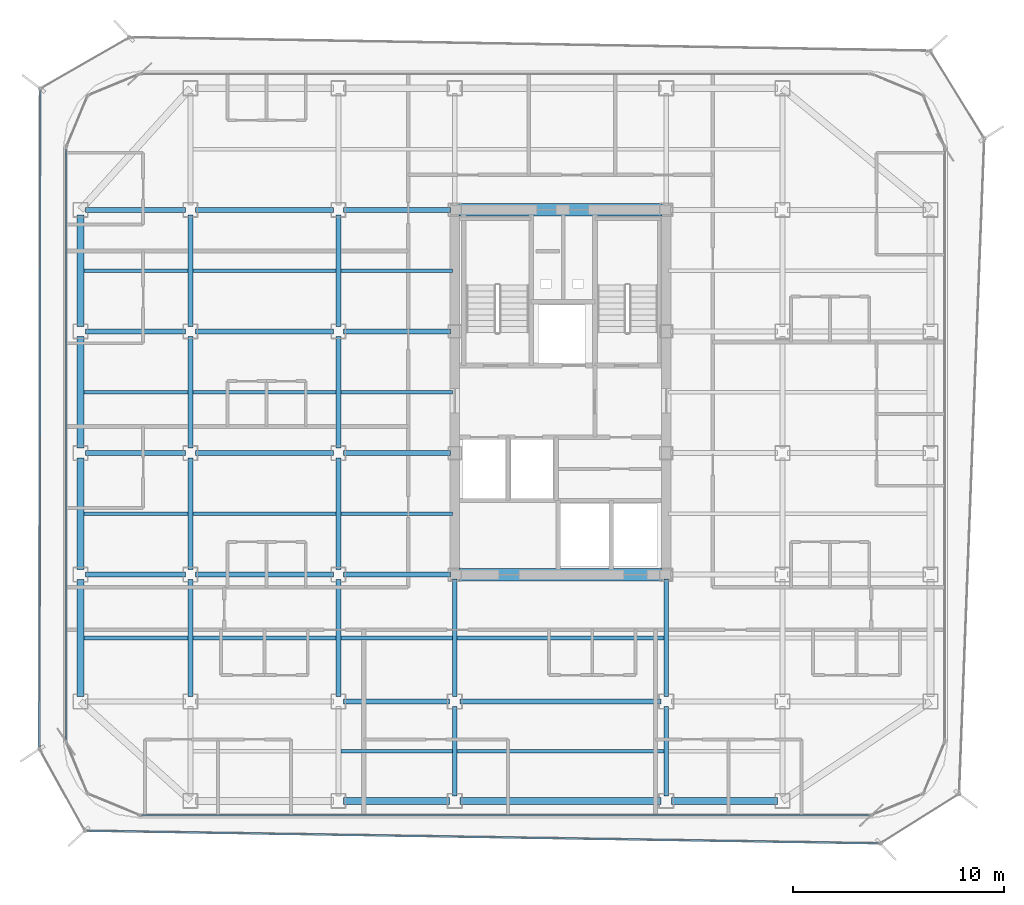
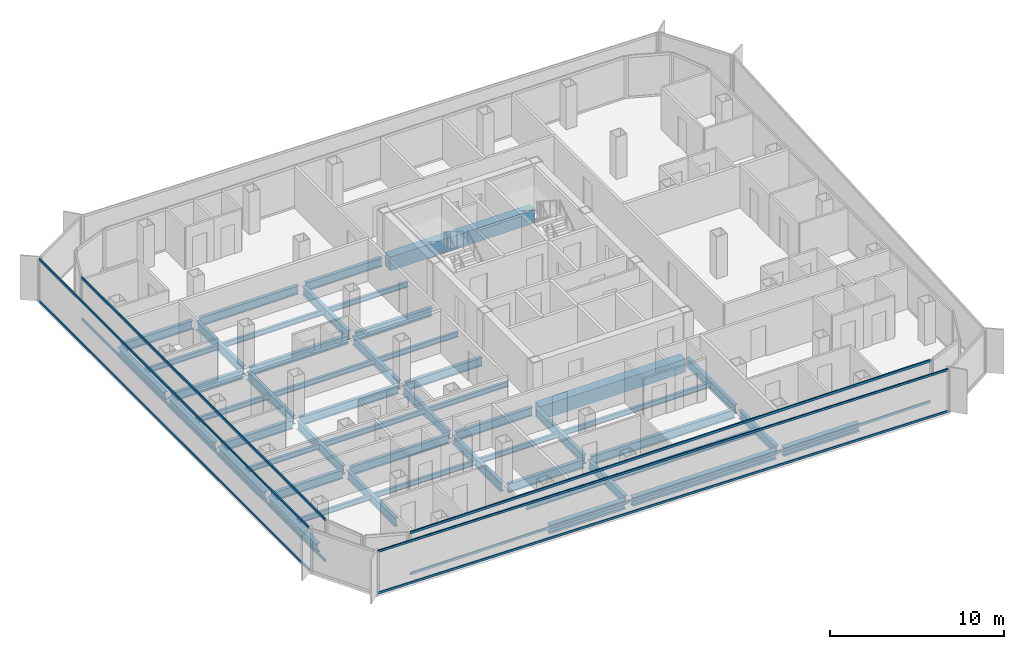
# One storey, part 3 of 16: 50 beams, 8 members, 4 elements without a shape of their own.
"""IFC4 building model written with IfcOpenShell, lengths in metres."""

import ifcopenshell
import ifcopenshell.guid

model = None  # the IFC model being written
_history = None  # IfcOwnerHistory: only IFC2X3 demands one
_inside = {}  # id of a spatial element -> (the spatial element, [elements in it])
_under = {}  # id of a project, library or spatial element -> (it, [spatial elements below it])
_declared = {}  # id of a project -> (the project, [libraries it declares])
_typed = {}  # id of a type object -> (the type object, [elements of that type])
_made_of = {}  # id of a material, layer set ... -> (it, [elements and type objects made of it])


def new_model(schema):
    """Start an empty IFC model of exactly this schema.

    Asked for "IFC4X3", IfcOpenShell would pick the latest addendum, in which some entities
    have other attributes; the version numbers below select the first issue.
    IFC2X3 requires an IfcOwnerHistory on every rooted entity: one is made here for all.
    """
    global model, _history
    if schema == "IFC4X3":
        model = ifcopenshell.file(schema_version=(4, 3, 0, 0))
    else:
        model = ifcopenshell.file(schema=schema)
    _inside.clear()
    _under.clear()
    _declared.clear()
    _typed.clear()
    _made_of.clear()
    _history = None
    if model.schema == "IFC2X3":
        org = make("IfcOrganization", Name="unknown")
        user = make(
            "IfcPersonAndOrganization",
            ThePerson=make("IfcPerson", FamilyName="unknown"),
            TheOrganization=org,
        )
        app = make(
            "IfcApplication",
            ApplicationDeveloper=org,
            Version="unknown",
            ApplicationFullName="unknown",
            ApplicationIdentifier="unknown",
        )
        _history = make(
            "IfcOwnerHistory",
            OwningUser=user,
            OwningApplication=app,
            ChangeAction="ADDED",
            CreationDate=0,
        )
    return model


def make(cls, **values):
    """One entity of the class cls with the attributes given. An attribute that is None is left unset."""
    return model.create_entity(
        cls, **{name: value for name, value in values.items() if value is not None}
    )


def rooted(cls, **values):
    """An entity with a GlobalId (a new one), such as an element, a storey or a relation."""
    return make(cls, GlobalId=ifcopenshell.guid.new(), OwnerHistory=_history, **values)


def si_unit(unit_type, name, prefix=None):
    """IfcSIUnit, for example si_unit("LENGTHUNIT", "METRE", prefix="MILLI")."""
    return make("IfcSIUnit", UnitType=unit_type, Prefix=prefix, Name=name)


def assignment(units):
    """IfcUnitAssignment: the units of a project."""
    return None if units is None else make("IfcUnitAssignment", Units=units)


def point(xyz):
    """IfcCartesianPoint."""
    return None if xyz is None else make("IfcCartesianPoint", Coordinates=xyz)


def direction(xyz):
    """IfcDirection."""
    return None if xyz is None else make("IfcDirection", DirectionRatios=xyz)


def frame(location, z_axis=None, x_axis=None):
    """IfcAxis2Placement3D, a coordinate frame: its origin and axes. An axis left out is left unset."""
    return make(
        "IfcAxis2Placement3D",
        Location=point(location),
        Axis=direction(z_axis),
        RefDirection=direction(x_axis),
    )


def frame_2d(location, x_axis=None):
    """IfcAxis2Placement2D, a coordinate frame in the plane: its origin and x axis."""
    return make(
        "IfcAxis2Placement2D", Location=point(location), RefDirection=direction(x_axis)
    )


def origin():
    """The frame at (0, 0, 0) with its axes left unset."""
    return frame((0.0, 0.0, 0.0))


def origin_2d():
    """The frame at (0, 0) in the plane with its x axis left unset."""
    return frame_2d((0.0, 0.0))


def place(relative_to, where):
    """IfcLocalPlacement: puts the frame where relative to a parent placement (None: the world)."""
    return make(
        "IfcLocalPlacement", PlacementRelTo=relative_to, RelativePlacement=where
    )


def context(
    kind, dimensions, precision=None, world=None, true_north=None, identifier=None
):
    """IfcGeometricRepresentationContext, for example the 3D "Model" context."""
    return make(
        "IfcGeometricRepresentationContext",
        ContextIdentifier=identifier,
        ContextType=kind,
        CoordinateSpaceDimension=dimensions,
        Precision=precision,
        WorldCoordinateSystem=world,
        TrueNorth=true_north,
    )


def subcontext(parent, identifier, kind, view, scale=None):
    """IfcGeometricRepresentationSubContext, for example "Body" below "Model"."""
    return make(
        "IfcGeometricRepresentationSubContext",
        ContextIdentifier=identifier,
        ContextType=kind,
        ParentContext=parent,
        TargetScale=scale,
        TargetView=view,
    )


def project(units=None, contexts=None):
    """IfcProject with its units and contexts."""
    return rooted(
        "IfcProject",
        Name="project",
        RepresentationContexts=contexts,
        UnitsInContext=assignment(units),
    )


def spatial(cls, under=None, at=None, **own):
    """A site, building, storey or space (cls), placed at a placement, below another one or the project."""
    s = rooted(cls, ObjectPlacement=at, **own)
    if under is not None:
        _under.setdefault(under.id(), (under, []))[1].append(s)
    return s


def profile(cls, at=None, kind="AREA", **sizes):
    """A parametric profile (cls). Its sizes go by their IFC names, for example OverallWidth=200.0."""
    return make(cls, ProfileType=kind, Position=at, **sizes)


def rectangle(**sizes):
    """IfcRectangleProfileDef."""
    return profile("IfcRectangleProfileDef", **sizes)


def hollow_rectangle(**sizes):
    """IfcRectangleHollowProfileDef."""
    return profile("IfcRectangleHollowProfileDef", **sizes)


def i_section(**sizes):
    """IfcIShapeProfileDef."""
    return profile("IfcIShapeProfileDef", **sizes)


def extrude(swept, where, along, depth):
    """IfcExtrudedAreaSolid: the profile swept, set in the frame where, extruded along a direction by depth."""
    return make(
        "IfcExtrudedAreaSolid",
        SweptArea=swept,
        Position=where,
        ExtrudedDirection=direction(along),
        Depth=depth,
    )


def shape(context_of_items, identifier, shape_type, items):
    """IfcShapeRepresentation: the items that make up one representation, for example the "Body"."""
    return make(
        "IfcShapeRepresentation",
        ContextOfItems=context_of_items,
        RepresentationIdentifier=identifier,
        RepresentationType=shape_type,
        Items=items,
    )


def source(mapping_origin, context_of_items, identifier, shape_type, items):
    """IfcRepresentationMap: a shape defined once, which mapped items show again and again."""
    return make(
        "IfcRepresentationMap",
        MappingOrigin=mapping_origin,
        MappedRepresentation=shape(context_of_items, identifier, shape_type, items),
    )


def transform(
    local_origin,
    x_axis=None,
    y_axis=None,
    z_axis=None,
    scale=None,
    scale2=None,
    scale3=None,
    uniform=True,
):
    """IfcCartesianTransformationOperator3D, or its non-uniform kind. x_axis, y_axis, z_axis: its Axis1, 2, 3."""
    if uniform:
        return make(
            "IfcCartesianTransformationOperator3D",
            Axis1=direction(x_axis),
            Axis2=direction(y_axis),
            LocalOrigin=point(local_origin),
            Scale=scale,
            Axis3=direction(z_axis),
        )
    return make(
        "IfcCartesianTransformationOperator3DnonUniform",
        Axis1=direction(x_axis),
        Axis2=direction(y_axis),
        LocalOrigin=point(local_origin),
        Scale=scale,
        Axis3=direction(z_axis),
        Scale2=scale2,
        Scale3=scale3,
    )


def mapped(mapping_source, mapping_target):
    """IfcMappedItem: shows the shape of a source again, moved by a transform."""
    return make(
        "IfcMappedItem", MappingSource=mapping_source, MappingTarget=mapping_target
    )


def material(Name=None, Category=None):
    """IfcMaterial."""
    return make("IfcMaterial", Name=Name, Category=Category)


def layer(
    of_material, thickness, ventilated=None, Name=None, Category=None, Priority=None
):
    """IfcMaterialLayer: one layer of a wall or slab, of a material (None: an air gap)."""
    return make(
        "IfcMaterialLayer",
        Material=of_material,
        LayerThickness=thickness,
        IsVentilated=ventilated,
        Name=Name,
        Category=Category,
        Priority=Priority,
    )


def layer_set(layers, Name=None):
    """IfcMaterialLayerSet."""
    return make("IfcMaterialLayerSet", MaterialLayers=layers, LayerSetName=Name)


def material_profile(
    of_material, cross_section, Name=None, Category=None, Priority=None
):
    """IfcMaterialProfile: a cross section and its material."""
    return make(
        "IfcMaterialProfile",
        Name=Name,
        Material=of_material,
        Profile=cross_section,
        Priority=Priority,
        Category=Category,
    )


def profile_set(profiles, Name=None, composite=None):
    """IfcMaterialProfileSet."""
    return make(
        "IfcMaterialProfileSet",
        Name=Name,
        MaterialProfiles=profiles,
        CompositeProfile=composite,
    )


def made_of(thing, what):
    """Note that an element or type object is made of a material, layer set ...; save() writes the relation."""
    if what is not None:
        _made_of.setdefault(what.id(), (what, []))[1].append(thing)
    return thing


def type_object(cls, material=None, **own):
    """A type object (cls), such as IfcWallType, which elements share."""
    return made_of(rooted(cls, **own), material)


def element(
    cls,
    number,
    at=None,
    inside=None,
    cuts=None,
    type_object=None,
    material=None,
    context=None,
    identifier="Body",
    shape_type=None,
    held_by="IfcProductDefinitionShape",
    body=None,
    shapes=None,
    **own,
):
    """One element of the class cls, such as IfcWall. Its Tag is "e" and its number.

    at: its placement. inside: the storey or other place that contains it. cuts: it is an
    opening in that element (IfcRelVoidsElement). A single representation is given by context,
    identifier, shape_type and body (its items); several are given by shapes. held_by: the class
    of the entity that holds the representations. save() writes the other relations.
    """
    e = rooted(cls, Tag="e%d" % number, ObjectPlacement=at, **own)
    if body is not None:
        shapes = [shape(context, identifier, shape_type, body)]
    if shapes is not None:
        e.Representation = make(held_by, Representations=shapes)
    if inside is not None:
        _inside.setdefault(inside.id(), (inside, []))[1].append(e)
    if cuts is not None:
        rooted(
            "IfcRelVoidsElement", RelatingBuildingElement=cuts, RelatedOpeningElement=e
        )
    if type_object is not None:
        _typed.setdefault(type_object.id(), (type_object, []))[1].append(e)
    return made_of(e, material)


def aggregate(whole, parts):
    """IfcRelAggregates: a whole, such as a stair, and the parts it consists of."""
    return rooted("IfcRelAggregates", RelatingObject=whole, RelatedObjects=parts)


def save(model, path):
    """Write the relations noted so far, then the file.

    IfcRelAggregates (storeys below a building ...), IfcRelContainedInSpatialStructure (elements
    in a storey), IfcRelDefinesByType, IfcRelAssociatesMaterial and IfcRelDeclares: one each for
    every whole, place, type object, material and project.
    """
    for whole, parts in _under.values():
        aggregate(whole, parts)
    for where, things in _inside.values():
        rooted(
            "IfcRelContainedInSpatialStructure",
            RelatedElements=things,
            RelatingStructure=where,
        )
    for kind, things in _typed.values():
        rooted("IfcRelDefinesByType", RelatedObjects=things, RelatingType=kind)
    for what, things in _made_of.values():
        rooted("IfcRelAssociatesMaterial", RelatedObjects=things, RelatingMaterial=what)
    for by, libraries in _declared.values():
        rooted("IfcRelDeclares", RelatingContext=by, RelatedDefinitions=libraries)
    model.write(path)


model = new_model("IFC4")

# Units and contexts
model_context = context("Model", 3, precision=1e-05, world=origin(), true_north=direction((0.0, 1.0)))
body_context = subcontext(model_context, "Body", "Model", "MODEL_VIEW")
ifc_project = project(units=[si_unit("LENGTHUNIT", "METRE"), si_unit("AREAUNIT", "SQUARE_METRE"), si_unit("VOLUMEUNIT", "CUBIC_METRE"), si_unit("PLANEANGLEUNIT", "RADIAN"), si_unit("MASSUNIT", "GRAM", prefix="KILO")], contexts=[model_context])

# Site, building, storey
site_placement = place(None, origin())
site = spatial("IfcSite", under=ifc_project, at=site_placement, CompositionType="ELEMENT")
building_placement = place(site_placement, origin())
building = spatial("IfcBuilding", under=site, at=building_placement, Name="Kolveth Station Tower", CompositionType="ELEMENT")
storey_placement = place(building_placement, frame((0.0, 0.0, 156.10009765625)))
storey = spatial("IfcBuildingStorey", under=building, at=storey_placement, Name="L43", CompositionType="ELEMENT", Elevation=156.10009765625)

# Beams
ifc_material_1 = material(Name="Steel S355", Category="steel")
ifc_material_profile_1 = material_profile(ifc_material_1, i_section(OverallWidth=0.323974609375, OverallDepth=0.611083984375, WebThickness=0.0126953125, FlangeThickness=0.01904296875, at=origin_2d()), Name="W610x155")
ifc_profile_set_1 = profile_set([ifc_material_profile_1], Name="Steel S355")
beam_type_1 = type_object("IfcBeamType", Name="Beam_SP2", PredefinedType="SPANDREL", material=ifc_profile_set_1)
shared_shape_1 = source(origin(), body_context, "Body", "SweptSolid", [
    extrude(i_section(OverallWidth=0.323974609375, OverallDepth=0.611083984375, WebThickness=0.0126953125, FlangeThickness=0.01904296875, at=origin_2d()), origin(), (0.0, 0.0, 1.0), 5.02001953125),
])
for number, where, z_axis, x_axis, name in (
    (1, (13.239990234375, 0.800048828125, -0.5556640625), (1.0, 0.0, 0.0), (0.0, 1.0, 0.0), "L43 Perimeter Spandrel BM-L43-PS-2"),
    (2, (28.739990234375, 0.800048828125, -0.5556640625), (1.0, 0.0, 0.0), (0.0, 1.0, 0.0), "L43 Perimeter Spandrel BM-L43-PS-4"),
):
    element("IfcBeam", number, at=place(storey_placement, frame(where, z_axis=z_axis, x_axis=x_axis)), inside=storey, type_object=beam_type_1, Name=name, PredefinedType="SPANDREL", context=body_context, shape_type="MappedRepresentation", body=[
        mapped(shared_shape_1, transform((0.0, 0.0, 0.0), x_axis=(1.0, 0.0, 0.0), y_axis=(0.0, 1.0, 0.0), z_axis=(0.0, 0.0, 1.0), scale=1.0)),
    ])
shared_shape_2 = source(origin(), body_context, "Body", "SweptSolid", [
    extrude(i_section(OverallWidth=0.323974609375, OverallDepth=0.611083984375, WebThickness=0.0126953125, FlangeThickness=0.01904296875, at=origin_2d()), origin(), (0.0, 0.0, 1.0), 9.52001953125),
])
beam_1_placement = place(storey_placement, frame((18.739990234375, 0.800048828125, -0.5556640625), z_axis=(1.0, 0.0, 0.0), x_axis=(0.0, 1.0, 0.0)))
element("IfcBeam", 3, at=beam_1_placement, inside=storey, type_object=beam_type_1, Name="L43 Perimeter Spandrel BM-L43-PS-3", PredefinedType="SPANDREL", context=body_context, shape_type="MappedRepresentation", body=[
    mapped(shared_shape_2, transform((0.0, 0.0, 0.0), x_axis=(1.0, 0.0, 0.0), y_axis=(0.0, 1.0, 0.0), z_axis=(0.0, 0.0, 1.0), scale=1.0)),
])
shared_shape_3 = source(origin(), body_context, "Body", "SweptSolid", [
    extrude(i_section(OverallWidth=0.323974609375, OverallDepth=0.611083984375, WebThickness=0.0126953125, FlangeThickness=0.01904296875, at=origin_2d()), origin(), (0.0, 0.0, 1.0), 5.52001953125),
])
beam_2_placement = place(storey_placement, frame((0.800048828125, 5.739990234375, -0.5556640625), z_axis=(0.0, 1.0, 0.0), x_axis=(-1.0, 0.0, 0.0)))
element("IfcBeam", 4, at=beam_2_placement, inside=storey, type_object=beam_type_1, Name="L43 Perimeter Spandrel BM-L43-PW-1", PredefinedType="SPANDREL", context=body_context, shape_type="MappedRepresentation", body=[
    mapped(shared_shape_3, transform((0.0, 0.0, 0.0), x_axis=(1.0, 0.0, 0.0), y_axis=(0.0, 1.0, 0.0), z_axis=(0.0, 0.0, 1.0), scale=1.0)),
])
shared_shape_4 = source(origin(), body_context, "Body", "SweptSolid", [
    extrude(i_section(OverallWidth=0.323974609375, OverallDepth=0.611083984375, WebThickness=0.0126953125, FlangeThickness=0.01904296875, at=origin_2d()), origin(), (0.0, 0.0, 1.0), 5.27001953125),
])
for number, where, z_axis, x_axis, name in (
    (5, (0.800048828125, 11.739990234375, -0.5556640625), (0.0, 1.0, 0.0), (-1.0, 0.0, 0.0), "L43 Perimeter Spandrel BM-L43-PW-2"),
    (6, (0.800048828125, 17.489990234375, -0.5556640625), (0.0, 1.0, 0.0), (-1.0, 0.0, 0.0), "L43 Perimeter Spandrel BM-L43-PW-3"),
    (7, (0.800048828125, 23.239990234375, -0.5556640625), (0.0, 1.0, 0.0), (-1.0, 0.0, 0.0), "L43 Perimeter Spandrel BM-L43-PW-4"),
):
    element("IfcBeam", number, at=place(storey_placement, frame(where, z_axis=z_axis, x_axis=x_axis)), inside=storey, type_object=beam_type_1, Name=name, PredefinedType="SPANDREL", context=body_context, shape_type="MappedRepresentation", body=[
        mapped(shared_shape_4, transform((0.0, 0.0, 0.0), x_axis=(1.0, 0.0, 0.0), y_axis=(0.0, 1.0, 0.0), z_axis=(0.0, 0.0, 1.0), scale=1.0)),
    ])
ifc_material_profile_2 = material_profile(ifc_material_1, i_section(OverallWidth=0.22900390625, OverallDepth=0.612060546875, WebThickness=0.011962890625, FlangeThickness=0.01953125, at=origin_2d()), Name="W610x125")
ifc_profile_set_2 = profile_set([ifc_material_profile_2], Name="Steel S355")
beam_type_2 = type_object("IfcBeamType", Name="Beam_B5", PredefinedType="BEAM", material=ifc_profile_set_2)
shared_shape_5 = source(origin(), body_context, "Body", "SweptSolid", [
    extrude(i_section(OverallWidth=0.22900390625, OverallDepth=0.612060546875, WebThickness=0.011962890625, FlangeThickness=0.01953125, at=origin_2d()), origin(), (0.0, 0.0, 1.0), 4.719970703125),
])
for number, where, z_axis, x_axis, name in (
    (8, (1.0400390625, 11.5, -0.55615234375), (1.0, 0.0, 0.0), (0.0, 1.0, 0.0), "L43 Primary Girder BM-L43-GY115-1"),
    (9, (1.0400390625, 17.25, -0.55615234375), (1.0, 0.0, 0.0), (0.0, 1.0, 0.0), "L43 Primary Girder BM-L43-GY172-1"),
    (10, (1.0400390625, 23.0, -0.55615234375), (1.0, 0.0, 0.0), (0.0, 1.0, 0.0), "L43 Primary Girder BM-L43-GY230-1"),
    (11, (1.0400390625, 28.75, -0.55615234375), (1.0, 0.0, 0.0), (0.0, 1.0, 0.0), "L43 Primary Girder BM-L43-GY287-1"),
):
    element("IfcBeam", number, at=place(storey_placement, frame(where, z_axis=z_axis, x_axis=x_axis)), inside=storey, type_object=beam_type_2, Name=name, PredefinedType="BEAM", context=body_context, shape_type="MappedRepresentation", body=[
        mapped(shared_shape_5, transform((0.0, 0.0, 0.0), x_axis=(1.0, 0.0, 0.0), y_axis=(0.0, 1.0, 0.0), z_axis=(0.0, 0.0, 1.0), scale=1.0)),
    ])
shared_shape_6 = source(origin(), body_context, "Body", "SweptSolid", [
    extrude(i_section(OverallWidth=0.22900390625, OverallDepth=0.612060546875, WebThickness=0.011962890625, FlangeThickness=0.01953125, at=origin_2d()), origin(), (0.0, 0.0, 1.0), 6.52001953125),
])
for number, where, z_axis, x_axis, name in (
    (12, (6.239990234375, 11.5, -0.55615234375), (1.0, 0.0, 0.0), (0.0, 1.0, 0.0), "L43 Primary Girder BM-L43-GY115-2"),
    (13, (6.239990234375, 17.25, -0.55615234375), (1.0, 0.0, 0.0), (0.0, 1.0, 0.0), "L43 Primary Girder BM-L43-GY172-2"),
    (14, (6.239990234375, 23.0, -0.55615234375), (1.0, 0.0, 0.0), (0.0, 1.0, 0.0), "L43 Primary Girder BM-L43-GY230-2"),
    (15, (6.239990234375, 28.75, -0.55615234375), (1.0, 0.0, 0.0), (0.0, 1.0, 0.0), "L43 Primary Girder BM-L43-GY287-2"),
):
    element("IfcBeam", number, at=place(storey_placement, frame(where, z_axis=z_axis, x_axis=x_axis)), inside=storey, type_object=beam_type_2, Name=name, PredefinedType="BEAM", context=body_context, shape_type="MappedRepresentation", body=[
        mapped(shared_shape_6, transform((0.0, 0.0, 0.0), x_axis=(1.0, 0.0, 0.0), y_axis=(0.0, 1.0, 0.0), z_axis=(0.0, 0.0, 1.0), scale=1.0)),
    ])
shared_shape_7 = source(origin(), body_context, "Body", "SweptSolid", [
    extrude(i_section(OverallWidth=0.22900390625, OverallDepth=0.612060546875, WebThickness=0.011962890625, FlangeThickness=0.01953125, at=origin_2d()), origin(), (0.0, 0.0, 1.0), 5.02001953125),
])
beam_3_placement = place(storey_placement, frame((13.239990234375, 5.5, -0.55615234375), z_axis=(1.0, 0.0, 0.0), x_axis=(0.0, 1.0, 0.0)))
element("IfcBeam", 16, at=beam_3_placement, inside=storey, type_object=beam_type_2, Name="L43 Primary Girder BM-L43-GY55-3", PredefinedType="BEAM", context=body_context, shape_type="MappedRepresentation", body=[
    mapped(shared_shape_7, transform((0.0, 0.0, 0.0), x_axis=(1.0, 0.0, 0.0), y_axis=(0.0, 1.0, 0.0), z_axis=(0.0, 0.0, 1.0), scale=1.0)),
])
shared_shape_8 = source(origin(), body_context, "Body", "SweptSolid", [
    extrude(i_section(OverallWidth=0.22900390625, OverallDepth=0.612060546875, WebThickness=0.011962890625, FlangeThickness=0.01953125, at=origin_2d()), origin(), (0.0, 0.0, 1.0), 9.52001953125),
])
beam_4_placement = place(storey_placement, frame((18.739990234375, 5.5, -0.55615234375), z_axis=(1.0, 0.0, 0.0), x_axis=(0.0, 1.0, 0.0)))
element("IfcBeam", 17, at=beam_4_placement, inside=storey, type_object=beam_type_2, Name="L43 Primary Girder BM-L43-GY55-4", PredefinedType="BEAM", context=body_context, shape_type="MappedRepresentation", body=[
    mapped(shared_shape_8, transform((0.0, 0.0, 0.0), x_axis=(1.0, 0.0, 0.0), y_axis=(0.0, 1.0, 0.0), z_axis=(0.0, 0.0, 1.0), scale=1.0)),
])
shared_shape_9 = source(origin(), body_context, "Body", "SweptSolid", [
    extrude(i_section(OverallWidth=0.22900390625, OverallDepth=0.612060546875, WebThickness=0.011962890625, FlangeThickness=0.01953125, at=origin_2d()), origin(), (0.0, 0.0, 1.0), 5.06005859375),
])
for number, where, z_axis, x_axis, name in (
    (18, (13.239990234375, 11.5, -0.55615234375), (1.0, 0.0, 0.0), (0.0, 1.0, 0.0), "L43 Primary Girder BM-L43-GY115-3"),
    (19, (13.239990234375, 17.25, -0.55615234375), (1.0, 0.0, 0.0), (0.0, 1.0, 0.0), "L43 Primary Girder BM-L43-GY172-3"),
    (20, (13.239990234375, 23.0, -0.55615234375), (1.0, 0.0, 0.0), (0.0, 1.0, 0.0), "L43 Primary Girder BM-L43-GY230-3"),
    (21, (13.239990234375, 28.75, -0.55615234375), (1.0, 0.0, 0.0), (0.0, 1.0, 0.0), "L43 Primary Girder BM-L43-GY287-3"),
):
    element("IfcBeam", number, at=place(storey_placement, frame(where, z_axis=z_axis, x_axis=x_axis)), inside=storey, type_object=beam_type_2, Name=name, PredefinedType="BEAM", context=body_context, shape_type="MappedRepresentation", body=[
        mapped(shared_shape_9, transform((0.0, 0.0, 0.0), x_axis=(1.0, 0.0, 0.0), y_axis=(0.0, 1.0, 0.0), z_axis=(0.0, 0.0, 1.0), scale=1.0)),
    ])
ifc_material_2 = material(Name="Concrete C60/75", Category="concrete")
ifc_material_profile_3 = material_profile(ifc_material_2, rectangle(XDim=0.60009765625, YDim=0.949951171875, at=origin_2d()), Name="RC-600x950")
ifc_profile_set_3 = profile_set([ifc_material_profile_3], Name="Concrete C60/75")
beam_type_3 = type_object("IfcBeamType", Name="Beam_CB1", PredefinedType="BEAM", material=ifc_profile_set_3)
shared_shape_10 = source(origin(), body_context, "Body", "SweptSolid", [
    extrude(rectangle(XDim=0.60009765625, YDim=0.949951171875, at=origin_2d()), origin(), (0.0, 0.0, 1.0), 9.60009765625),
])
for number, where, z_axis, x_axis, name in (
    (22, (18.699951171875, 11.5, -0.72509765625), (1.0, 0.0, 0.0), (0.0, 1.0, 0.0), "L43 Core Coupling Beam BM-L43-CB-Y115"),
    (23, (18.699951171875, 28.75, -0.72509765625), (1.0, 0.0, 0.0), (0.0, 1.0, 0.0), "L43 Core Coupling Beam BM-L43-CB-Y287"),
):
    element("IfcBeam", number, at=place(storey_placement, frame(where, z_axis=z_axis, x_axis=x_axis)), inside=storey, type_object=beam_type_3, Name=name, PredefinedType="BEAM", context=body_context, shape_type="MappedRepresentation", body=[
        mapped(shared_shape_10, transform((0.0, 0.0, 0.0), x_axis=(1.0, 0.0, 0.0), y_axis=(0.0, 1.0, 0.0), z_axis=(0.0, 0.0, 1.0), scale=1.0)),
    ])
shared_shape_11 = source(origin(), body_context, "Body", "SweptSolid", [
    extrude(i_section(OverallWidth=0.22900390625, OverallDepth=0.612060546875, WebThickness=0.011962890625, FlangeThickness=0.01953125, at=origin_2d()), origin(), (0.0, 0.0, 1.0), 4.219970703125),
])
for number, where, z_axis, x_axis, name in (
    (24, (18.5, 1.0400390625, -0.55615234375), (0.0, 1.0, 0.0), (-1.0, 0.0, 0.0), "L43 Primary Girder BM-L43-GX185-1"),
    (25, (28.5, 1.0400390625, -0.55615234375), (0.0, 1.0, 0.0), (-1.0, 0.0, 0.0), "L43 Primary Girder BM-L43-GX285-1"),
):
    element("IfcBeam", number, at=place(storey_placement, frame(where, z_axis=z_axis, x_axis=x_axis)), inside=storey, type_object=beam_type_2, Name=name, PredefinedType="BEAM", context=body_context, shape_type="MappedRepresentation", body=[
        mapped(shared_shape_11, transform((0.0, 0.0, 0.0), x_axis=(1.0, 0.0, 0.0), y_axis=(0.0, 1.0, 0.0), z_axis=(0.0, 0.0, 1.0), scale=1.0)),
    ])
shared_shape_12 = source(origin(), body_context, "Body", "SweptSolid", [
    extrude(i_section(OverallWidth=0.22900390625, OverallDepth=0.612060546875, WebThickness=0.011962890625, FlangeThickness=0.01953125, at=origin_2d()), origin(), (0.0, 0.0, 1.0), 5.52001953125),
])
for number, where, z_axis, x_axis, name in (
    (26, (6.0, 5.739990234375, -0.55615234375), (0.0, 1.0, 0.0), (-1.0, 0.0, 0.0), "L43 Primary Girder BM-L43-GX60-2"),
    (27, (13.0, 5.739990234375, -0.55615234375), (0.0, 1.0, 0.0), (-1.0, 0.0, 0.0), "L43 Primary Girder BM-L43-GX130-2"),
):
    element("IfcBeam", number, at=place(storey_placement, frame(where, z_axis=z_axis, x_axis=x_axis)), inside=storey, type_object=beam_type_2, Name=name, PredefinedType="BEAM", context=body_context, shape_type="MappedRepresentation", body=[
        mapped(shared_shape_12, transform((0.0, 0.0, 0.0), x_axis=(1.0, 0.0, 0.0), y_axis=(0.0, 1.0, 0.0), z_axis=(0.0, 0.0, 1.0), scale=1.0)),
    ])
shared_shape_13 = source(origin(), body_context, "Body", "SweptSolid", [
    extrude(i_section(OverallWidth=0.22900390625, OverallDepth=0.612060546875, WebThickness=0.011962890625, FlangeThickness=0.01953125, at=origin_2d()), origin(), (0.0, 0.0, 1.0), 5.27001953125),
])
for number, where, z_axis, x_axis, name in (
    (28, (6.0, 11.739990234375, -0.55615234375), (0.0, 1.0, 0.0), (-1.0, 0.0, 0.0), "L43 Primary Girder BM-L43-GX60-3"),
    (29, (6.0, 17.489990234375, -0.55615234375), (0.0, 1.0, 0.0), (-1.0, 0.0, 0.0), "L43 Primary Girder BM-L43-GX60-4"),
    (30, (6.0, 23.239990234375, -0.55615234375), (0.0, 1.0, 0.0), (-1.0, 0.0, 0.0), "L43 Primary Girder BM-L43-GX60-5"),
    (31, (13.0, 11.739990234375, -0.55615234375), (0.0, 1.0, 0.0), (-1.0, 0.0, 0.0), "L43 Primary Girder BM-L43-GX130-3"),
    (32, (13.0, 17.489990234375, -0.55615234375), (0.0, 1.0, 0.0), (-1.0, 0.0, 0.0), "L43 Primary Girder BM-L43-GX130-4"),
    (33, (13.0, 23.239990234375, -0.55615234375), (0.0, 1.0, 0.0), (-1.0, 0.0, 0.0), "L43 Primary Girder BM-L43-GX130-5"),
):
    element("IfcBeam", number, at=place(storey_placement, frame(where, z_axis=z_axis, x_axis=x_axis)), inside=storey, type_object=beam_type_2, Name=name, PredefinedType="BEAM", context=body_context, shape_type="MappedRepresentation", body=[
        mapped(shared_shape_13, transform((0.0, 0.0, 0.0), x_axis=(1.0, 0.0, 0.0), y_axis=(0.0, 1.0, 0.0), z_axis=(0.0, 0.0, 1.0), scale=1.0)),
    ])
shared_shape_14 = source(origin(), body_context, "Body", "SweptSolid", [
    extrude(i_section(OverallWidth=0.22900390625, OverallDepth=0.612060546875, WebThickness=0.011962890625, FlangeThickness=0.01953125, at=origin_2d()), origin(), (0.0, 0.0, 1.0), 5.56005859375),
])
for number, where, z_axis, x_axis, name in (
    (34, (18.5, 5.739990234375, -0.55615234375), (0.0, 1.0, 0.0), (-1.0, 0.0, 0.0), "L43 Primary Girder BM-L43-GX185-2"),
    (35, (28.5, 5.739990234375, -0.55615234375), (0.0, 1.0, 0.0), (-1.0, 0.0, 0.0), "L43 Primary Girder BM-L43-GX285-2"),
):
    element("IfcBeam", number, at=place(storey_placement, frame(where, z_axis=z_axis, x_axis=x_axis)), inside=storey, type_object=beam_type_2, Name=name, PredefinedType="BEAM", context=body_context, shape_type="MappedRepresentation", body=[
        mapped(shared_shape_14, transform((0.0, 0.0, 0.0), x_axis=(1.0, 0.0, 0.0), y_axis=(0.0, 1.0, 0.0), z_axis=(0.0, 0.0, 1.0), scale=1.0)),
    ])
ifc_material_profile_4 = material_profile(ifc_material_1, i_section(OverallWidth=0.1708984375, OverallDepth=0.35205078125, WebThickness=0.0068359375, FlangeThickness=0.009765625, at=origin_2d()), Name="W360x44")
ifc_profile_set_4 = profile_set([ifc_material_profile_4], Name="Steel S355")
beam_type_4 = type_object("IfcBeamType", Name="Beam_J2", PredefinedType="JOIST", material=ifc_profile_set_4)
shared_shape_15 = source(origin(), body_context, "Body", "SweptSolid", [
    extrude(i_section(OverallWidth=0.1708984375, OverallDepth=0.35205078125, WebThickness=0.0068359375, FlangeThickness=0.009765625, at=origin_2d()), origin(), (0.0, 0.0, 1.0), 4.927490234375),
])
for number, where, z_axis, x_axis, name in (
    (36, (0.9599609375, 8.5, -0.426025390625), (1.0, 0.0, 0.0), (0.0, 1.0, 0.0), "L43 Secondary Joist JST-L43-1-2"),
    (37, (0.9599609375, 14.375, -0.426025390625), (1.0, 0.0, 0.0), (0.0, 1.0, 0.0), "L43 Secondary Joist JST-L43-1-3"),
    (38, (0.9599609375, 20.125, -0.426025390625), (1.0, 0.0, 0.0), (0.0, 1.0, 0.0), "L43 Secondary Joist JST-L43-1-4"),
    (39, (0.9599609375, 25.875, -0.426025390625), (1.0, 0.0, 0.0), (0.0, 1.0, 0.0), "L43 Secondary Joist JST-L43-1-5"),
):
    element("IfcBeam", number, at=place(storey_placement, frame(where, z_axis=z_axis, x_axis=x_axis)), inside=storey, type_object=beam_type_4, Name=name, PredefinedType="JOIST", context=body_context, shape_type="MappedRepresentation", body=[
        mapped(shared_shape_15, transform((0.0, 0.0, 0.0), x_axis=(1.0, 0.0, 0.0), y_axis=(0.0, 1.0, 0.0), z_axis=(0.0, 0.0, 1.0), scale=1.0)),
    ])
shared_shape_16 = source(origin(), body_context, "Body", "SweptSolid", [
    extrude(i_section(OverallWidth=0.1708984375, OverallDepth=0.35205078125, WebThickness=0.0068359375, FlangeThickness=0.009765625, at=origin_2d()), origin(), (0.0, 0.0, 1.0), 6.77490234375),
])
for number, where, z_axis, x_axis, name in (
    (40, (6.112548828125, 8.5, -0.426025390625), (1.0, 0.0, 0.0), (0.0, 1.0, 0.0), "L43 Secondary Joist JST-L43-2-2"),
    (41, (6.112548828125, 14.375, -0.426025390625), (1.0, 0.0, 0.0), (0.0, 1.0, 0.0), "L43 Secondary Joist JST-L43-2-3"),
    (42, (6.112548828125, 20.125, -0.426025390625), (1.0, 0.0, 0.0), (0.0, 1.0, 0.0), "L43 Secondary Joist JST-L43-2-4"),
    (43, (6.112548828125, 25.875, -0.426025390625), (1.0, 0.0, 0.0), (0.0, 1.0, 0.0), "L43 Secondary Joist JST-L43-2-5"),
):
    element("IfcBeam", number, at=place(storey_placement, frame(where, z_axis=z_axis, x_axis=x_axis)), inside=storey, type_object=beam_type_4, Name=name, PredefinedType="JOIST", context=body_context, shape_type="MappedRepresentation", body=[
        mapped(shared_shape_16, transform((0.0, 0.0, 0.0), x_axis=(1.0, 0.0, 0.0), y_axis=(0.0, 1.0, 0.0), z_axis=(0.0, 0.0, 1.0), scale=1.0)),
    ])
shared_shape_17 = source(origin(), body_context, "Body", "SweptSolid", [
    extrude(i_section(OverallWidth=0.1708984375, OverallDepth=0.35205078125, WebThickness=0.0068359375, FlangeThickness=0.009765625, at=origin_2d()), origin(), (0.0, 0.0, 1.0), 5.27490234375),
])
for number, where, z_axis, x_axis, name in (
    (44, (13.112548828125, 3.14990234375, -0.426025390625), (1.0, 0.0, 0.0), (0.0, 1.0, 0.0), "L43 Secondary Joist JST-L43-3-1"),
    (45, (13.112548828125, 8.5, -0.426025390625), (1.0, 0.0, 0.0), (0.0, 1.0, 0.0), "L43 Secondary Joist JST-L43-3-2"),
    (46, (13.112548828125, 14.375, -0.426025390625), (1.0, 0.0, 0.0), (0.0, 1.0, 0.0), "L43 Secondary Joist JST-L43-3-3"),
    (47, (13.112548828125, 20.125, -0.426025390625), (1.0, 0.0, 0.0), (0.0, 1.0, 0.0), "L43 Secondary Joist JST-L43-3-4"),
    (48, (13.112548828125, 25.875, -0.426025390625), (1.0, 0.0, 0.0), (0.0, 1.0, 0.0), "L43 Secondary Joist JST-L43-3-5"),
):
    element("IfcBeam", number, at=place(storey_placement, frame(where, z_axis=z_axis, x_axis=x_axis)), inside=storey, type_object=beam_type_4, Name=name, PredefinedType="JOIST", context=body_context, shape_type="MappedRepresentation", body=[
        mapped(shared_shape_17, transform((0.0, 0.0, 0.0), x_axis=(1.0, 0.0, 0.0), y_axis=(0.0, 1.0, 0.0), z_axis=(0.0, 0.0, 1.0), scale=1.0)),
    ])
shared_shape_18 = source(origin(), body_context, "Body", "SweptSolid", [
    extrude(i_section(OverallWidth=0.1708984375, OverallDepth=0.35205078125, WebThickness=0.0068359375, FlangeThickness=0.009765625, at=origin_2d()), origin(), (0.0, 0.0, 1.0), 9.77490234375),
])
for number, where, z_axis, x_axis, name in (
    (49, (18.612548828125, 3.14990234375, -0.426025390625), (1.0, 0.0, 0.0), (0.0, 1.0, 0.0), "L43 Secondary Joist JST-L43-4-1"),
    (50, (18.612548828125, 8.5, -0.426025390625), (1.0, 0.0, 0.0), (0.0, 1.0, 0.0), "L43 Secondary Joist JST-L43-4-2"),
):
    element("IfcBeam", number, at=place(storey_placement, frame(where, z_axis=z_axis, x_axis=x_axis)), inside=storey, type_object=beam_type_4, Name=name, PredefinedType="JOIST", context=body_context, shape_type="MappedRepresentation", body=[
        mapped(shared_shape_18, transform((0.0, 0.0, 0.0), x_axis=(1.0, 0.0, 0.0), y_axis=(0.0, 1.0, 0.0), z_axis=(0.0, 0.0, 1.0), scale=1.0)),
    ])

# Curtain wall, members
ifc_material_3 = material(Name="Aluminium 6063-T6 and low-E dark glass", Category="aluminium")
ifc_layer_1 = layer(ifc_material_3, 0.18994140625)
ifc_layer_set_1 = layer_set([ifc_layer_1], Name="Aluminium 6063-T6 and low-E dark glass")
curtain_wall_type_1 = type_object("IfcCurtainWallType", Name="CurtainWall_CW-Z2", PredefinedType="NOTDEFINED", material=ifc_layer_set_1)
curtain_wall_1_placement = place(storey_placement, origin())
curtain_wall_1 = element("IfcCurtainWall", 51, at=curtain_wall_1_placement, inside=storey, type_object=curtain_wall_type_1, Name="L43 Inner Thermal Curtain Wall 9", PredefinedType="NOTDEFINED")
ifc_material_4 = material(Name="Black anodized aluminium 6063-T6", Category="aluminium")
ifc_material_profile_5 = material_profile(ifc_material_4, hollow_rectangle(XDim=0.080078125, YDim=0.169921875, WallThickness=0.0048828125, at=origin_2d()), Name="ALU-80x170x5")
ifc_profile_set_5 = profile_set([ifc_material_profile_5], Name="Black anodized aluminium 6063-T6")
member_type_1 = type_object("IfcMemberType", Name="Transom_TR2", PredefinedType="USERDEFINED", material=ifc_profile_set_5)
shared_shape_19 = source(origin(), body_context, "Body", "SweptSolid", [
    extrude(hollow_rectangle(XDim=0.080078125, YDim=0.169921875, WallThickness=0.0048828125, at=origin_2d()), origin(), (0.0, 0.0, 1.0), 27.940185546875),
])
member_1_placement = place(storey_placement, frame((0.1201171875, 31.6201171875, 0.039794921875), z_axis=(0.0, -1.0, 0.0), x_axis=(1.0, 0.0, 0.0)))
member_1 = element("IfcMember", 52, at=member_1_placement, type_object=member_type_1, Name="CW-Z2 transom 1.1", ObjectType="TRANSOM", PredefinedType="USERDEFINED", context=body_context, shape_type="MappedRepresentation", body=[
    mapped(shared_shape_19, transform((0.0, 0.0, 0.0), x_axis=(1.0, 0.0, 0.0), y_axis=(0.0, 1.0, 0.0), z_axis=(0.0, 0.0, 1.0), scale=1.0)),
])
member_2_placement = place(storey_placement, frame((0.1201171875, 31.6201171875, 2.909912109375), z_axis=(0.0, -1.0, 0.0), x_axis=(1.0, 0.0, 0.0)))
member_2 = element("IfcMember", 53, at=member_2_placement, type_object=member_type_1, Name="CW-Z2 transom 1.2", ObjectType="TRANSOM", PredefinedType="USERDEFINED", context=body_context, shape_type="MappedRepresentation", body=[
    mapped(shared_shape_19, transform((0.0, 0.0, 0.0), x_axis=(1.0, 0.0, 0.0), y_axis=(0.0, 1.0, 0.0), z_axis=(0.0, 0.0, 1.0), scale=1.0)),
])
aggregate(curtain_wall_1, [member_1, member_2])

curtain_wall_2_placement = place(storey_placement, origin())
curtain_wall_2 = element("IfcCurtainWall", 54, at=curtain_wall_2_placement, inside=storey, type_object=curtain_wall_type_1, Name="L43 Inner Thermal Curtain Wall 12", PredefinedType="NOTDEFINED")
shared_shape_20 = source(origin(), body_context, "Body", "SweptSolid", [
    extrude(hollow_rectangle(XDim=0.080078125, YDim=0.169921875, WallThickness=0.0048828125, at=origin_2d()), origin(), (0.0, 0.0, 1.0), 34.440185546875),
])
member_3_placement = place(storey_placement, frame((3.679931640625, 0.1201171875, 0.039794921875), z_axis=(1.0, 0.0, 0.0), x_axis=(0.0, 1.0, 0.0)))
member_3 = element("IfcMember", 55, at=member_3_placement, type_object=member_type_1, Name="CW-Z2 transom 1.1", ObjectType="TRANSOM", PredefinedType="USERDEFINED", context=body_context, shape_type="MappedRepresentation", body=[
    mapped(shared_shape_20, transform((0.0, 0.0, 0.0), x_axis=(1.0, 0.0, 0.0), y_axis=(0.0, 1.0, 0.0), z_axis=(0.0, 0.0, 1.0), scale=1.0)),
])
member_4_placement = place(storey_placement, frame((3.679931640625, 0.1201171875, 2.909912109375), z_axis=(1.0, 0.0, 0.0), x_axis=(0.0, 1.0, 0.0)))
member_4 = element("IfcMember", 56, at=member_4_placement, type_object=member_type_1, Name="CW-Z2 transom 1.2", ObjectType="TRANSOM", PredefinedType="USERDEFINED", context=body_context, shape_type="MappedRepresentation", body=[
    mapped(shared_shape_20, transform((0.0, 0.0, 0.0), x_axis=(1.0, 0.0, 0.0), y_axis=(0.0, 1.0, 0.0), z_axis=(0.0, 0.0, 1.0), scale=1.0)),
])
aggregate(curtain_wall_2, [member_3, member_4])

ifc_material_5 = material(Name="Black anodized aluminium 6063-T6 and dark solar glass", Category="aluminium")
ifc_layer_2 = layer(ifc_material_5, 0.159912109375)
ifc_layer_set_2 = layer_set([ifc_layer_2], Name="Black anodized aluminium 6063-T6 and dark solar glass")
curtain_wall_type_2 = type_object("IfcCurtainWallType", Name="OUTER SKIN CW-OS", PredefinedType="NOTDEFINED", material=ifc_layer_set_2)
curtain_wall_3_placement = place(storey_placement, origin())
curtain_wall_3 = element("IfcCurtainWall", 57, at=curtain_wall_3_placement, inside=storey, type_object=curtain_wall_type_2, Name="L43 Outer Ventilated Skin Curtain Wall 6", PredefinedType="NOTDEFINED")
ifc_material_profile_6 = material_profile(ifc_material_4, hollow_rectangle(XDim=0.080078125, YDim=0.14990234375, WallThickness=0.0048828125, at=origin_2d()), Name="ALU-80x150x5")
ifc_profile_set_6 = profile_set([ifc_material_profile_6], Name="Black anodized aluminium 6063-T6")
member_type_2 = type_object("IfcMemberType", Name="Transom_TR-OS", PredefinedType="USERDEFINED", material=ifc_profile_set_6)
shared_shape_21 = source(origin(), body_context, "Body", "SweptSolid", [
    extrude(hollow_rectangle(XDim=0.080078125, YDim=0.14990234375, WallThickness=0.0048828125, at=origin_2d()), origin(), (0.0, 0.0, 1.0), 31.047119140625),
])
member_5_placement = place(storey_placement, frame((-1.1005859375, 34.390869140625, 0.039794921875), z_axis=(-0.001155941321, -0.9999993319, 0.0), x_axis=(0.9999993319, -0.001155941321, 0.0)))
member_5 = element("IfcMember", 58, at=member_5_placement, type_object=member_type_2, Name="CW-OS transom 1.1", ObjectType="TRANSOM", PredefinedType="USERDEFINED", context=body_context, shape_type="MappedRepresentation", body=[
    mapped(shared_shape_21, transform((0.0, 0.0, 0.0), x_axis=(1.0, 0.0, 0.0), y_axis=(0.0, 1.0, 0.0), z_axis=(0.0, 0.0, 1.0), scale=1.0)),
])
member_6_placement = place(storey_placement, frame((-1.1005859375, 34.390869140625, 2.949951171875), z_axis=(-0.001155941321, -0.9999993319, 0.0), x_axis=(0.9999993319, -0.001155941321, 0.0)))
member_6 = element("IfcMember", 59, at=member_6_placement, type_object=member_type_2, Name="CW-OS transom 1.2", ObjectType="TRANSOM", PredefinedType="USERDEFINED", context=body_context, shape_type="MappedRepresentation", body=[
    mapped(shared_shape_21, transform((0.0, 0.0, 0.0), x_axis=(1.0, 0.0, 0.0), y_axis=(0.0, 1.0, 0.0), z_axis=(0.0, 0.0, 1.0), scale=1.0)),
])
aggregate(curtain_wall_3, [member_5, member_6])

curtain_wall_4_placement = place(storey_placement, origin())
curtain_wall_4 = element("IfcCurtainWall", 60, at=curtain_wall_4_placement, inside=storey, type_object=curtain_wall_type_2, Name="L43 Outer Ventilated Skin Curtain Wall 8", PredefinedType="NOTDEFINED")
shared_shape_22 = source(origin(), body_context, "Body", "SweptSolid", [
    extrude(hollow_rectangle(XDim=0.080078125, YDim=0.14990234375, WallThickness=0.0048828125, at=origin_2d()), origin(), (0.0, 0.0, 1.0), 37.438232421875),
])
member_7_placement = place(storey_placement, frame((1.10107421875, -0.615966796875, 0.039794921875), z_axis=(0.999873920971, -0.015878984905, 0.0), x_axis=(0.015878984905, 0.999873920971, 0.0)))
member_7 = element("IfcMember", 61, at=member_7_placement, type_object=member_type_2, Name="CW-OS transom 1.1", ObjectType="TRANSOM", PredefinedType="USERDEFINED", context=body_context, shape_type="MappedRepresentation", body=[
    mapped(shared_shape_22, transform((0.0, 0.0, 0.0), x_axis=(1.0, 0.0, 0.0), y_axis=(0.0, 1.0, 0.0), z_axis=(0.0, 0.0, 1.0), scale=1.0)),
])
member_8_placement = place(storey_placement, frame((1.10107421875, -0.615966796875, 2.949951171875), z_axis=(0.999873920971, -0.015878984905, 0.0), x_axis=(0.015878984905, 0.999873920971, 0.0)))
member_8 = element("IfcMember", 62, at=member_8_placement, type_object=member_type_2, Name="CW-OS transom 1.2", ObjectType="TRANSOM", PredefinedType="USERDEFINED", context=body_context, shape_type="MappedRepresentation", body=[
    mapped(shared_shape_22, transform((0.0, 0.0, 0.0), x_axis=(1.0, 0.0, 0.0), y_axis=(0.0, 1.0, 0.0), z_axis=(0.0, 0.0, 1.0), scale=1.0)),
])
aggregate(curtain_wall_4, [member_7, member_8])

save(model, "model.ifc")
